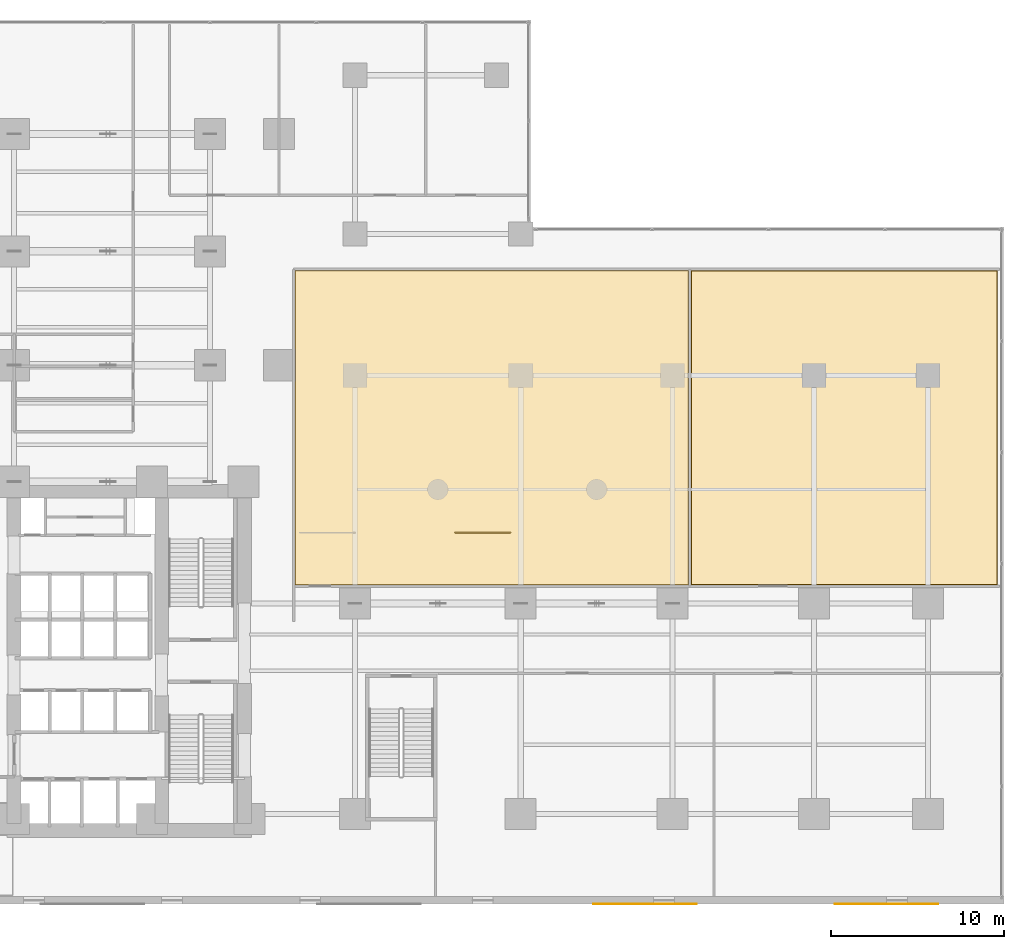
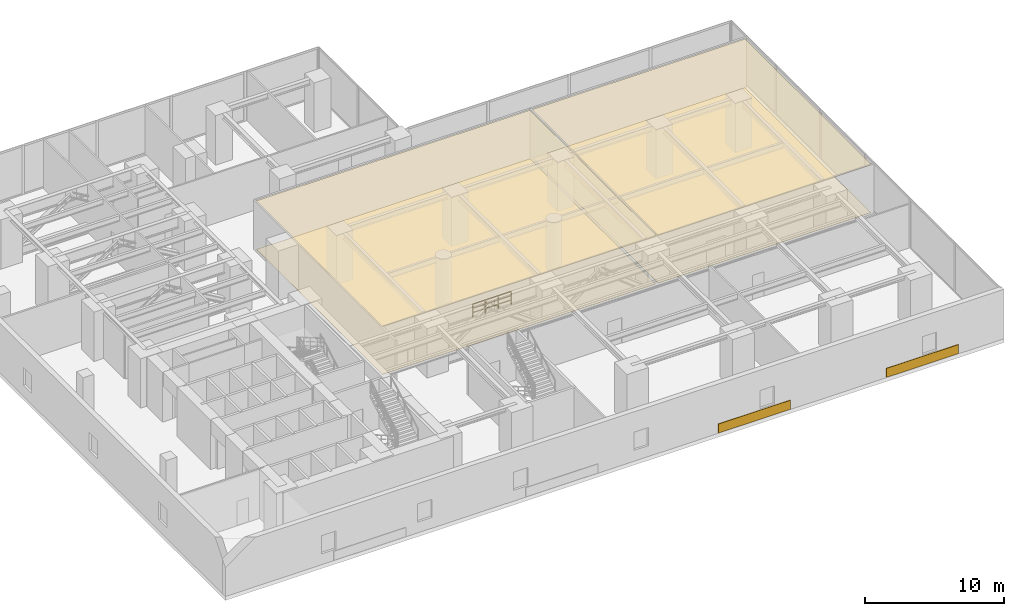
# One storey, part 18 of 18: 6 coverings, 1 railing.
"""IFC4 building model written with IfcOpenShell, lengths in metres."""

from ifc_helpers import new_model, si_unit, direction, frame, origin, origin_2d, place, context, subcontext, project, spatial, polyline, rectangle, circle, outline, extrude, material, layer, layer_set, type_object, element, save


model = new_model("IFC4")

# Units and contexts
model_context = context("Model", 3, precision=1e-05, world=origin(), true_north=direction((0.0, 1.0)))
body_context = subcontext(model_context, "Body", "Model", "MODEL_VIEW")
ifc_project = project(units=[si_unit("LENGTHUNIT", "METRE"), si_unit("AREAUNIT", "SQUARE_METRE"), si_unit("VOLUMEUNIT", "CUBIC_METRE"), si_unit("PLANEANGLEUNIT", "RADIAN"), si_unit("MASSUNIT", "GRAM", prefix="KILO")], contexts=[model_context])

# Site, building, storey
site_placement = place(None, origin())
site = spatial("IfcSite", under=ifc_project, at=site_placement, CompositionType="ELEMENT")
building_placement = place(site_placement, origin())
building = spatial("IfcBuilding", under=site, at=building_placement, Name="Kolvaren Waterfront Exchange", CompositionType="ELEMENT")
storey_placement = place(building_placement, frame((0.0, 0.0, 24.800048828125)))
storey = spatial("IfcBuildingStorey", under=building, at=storey_placement, Name="L06", CompositionType="ELEMENT", Elevation=24.800048828125)

# Railing
ifc_material_1 = material(Name="Anodised bronze aluminium and laminated glass", Category="aluminium")
railing_type = type_object("IfcRailingType", Name="ARC-BALUSTRADE-1150", PredefinedType="BALUSTRADE", material=ifc_material_1)
railing_placement = place(storey_placement, frame((33.0, 21.5, 0.0)))
element("IfcRailing", 1, at=railing_placement, inside=storey, type_object=railing_type, Name="L06 gallery balustrade 2", PredefinedType="BALUSTRADE", context=body_context, shape_type="SweptSolid", body=[
    extrude(circle(Radius=0.02392578125, at=origin_2d()), frame((0.0, 0.0, 1.1259765625), z_axis=(1.0, 0.0, 0.0), x_axis=(0.0, 1.0, 0.0)), (0.0, 0.0, 1.0), 3.199951171875),
    extrude(circle(Radius=0.01611328125, at=origin_2d()), frame((0.0, 0.0, 0.390869140625), z_axis=(1.0, 0.0, 0.0), x_axis=(0.0, 1.0, 0.0)), (0.0, 0.0, 1.0), 3.199951171875),
    extrude(circle(Radius=0.01611328125, at=origin_2d()), frame((0.0, 0.0, 0.7705078125), z_axis=(1.0, 0.0, 0.0), x_axis=(0.0, 1.0, 0.0)), (0.0, 0.0, 1.0), 3.199951171875),
    extrude(circle(Radius=0.02099609375, at=origin_2d()), origin(), (0.0, 0.0, 1.0), 1.101806640625),
    extrude(circle(Radius=0.02099609375, at=origin_2d()), frame((1.066650390625, 0.0, 0.0)), (0.0, 0.0, 1.0), 1.101806640625),
    extrude(circle(Radius=0.02099609375, at=origin_2d()), frame((2.13330078125, 0.0, 0.0)), (0.0, 0.0, 1.0), 1.101806640625),
    extrude(circle(Radius=0.02099609375, at=origin_2d()), frame((3.199951171875, 0.0, 0.0)), (0.0, 0.0, 1.0), 1.101806640625),
])

# Coverings
ifc_material_2 = material(Name="Mineral fibre acoustic ceiling tile")
ifc_layer_1 = layer(ifc_material_2, 0.02490234375, Name="Mineral fibre acoustic ceiling tile")
ifc_layer_set_1 = layer_set([ifc_layer_1], Name="Mineral fibre acoustic ceiling tile")
covering_type_1 = type_object("IfcCoveringType", Name="ARC-CEIL-ACOUSTIC-25", PredefinedType="CEILING", material=ifc_layer_set_1)
covering_1_placement = place(storey_placement, frame((0.0, 0.0, 4.23486328125)))
element("IfcCovering", 2, at=covering_1_placement, inside=storey, type_object=covering_type_1, Name="L06 acoustic suspended ceiling 2", PredefinedType="CEILING", context=body_context, shape_type="SweptSolid", body=[
    extrude(outline(polyline([(23.715087890625, 32.139892578125), (23.739990234375, 32.139892578125), (23.739990234375, 30.260009765625), (23.715087890625, 30.260009765625), (23.715087890625, 18.465087890625), (46.534912109375, 18.465087890625), (46.534912109375, 36.68505859375), (23.715087890625, 36.68505859375), (23.715087890625, 32.139892578125)])), origin(), (0.0, 0.0, 1.0), 0.025146484375),
])
covering_2_placement = place(storey_placement, frame((0.0, 0.0, 4.23486328125)))
element("IfcCovering", 3, at=covering_2_placement, inside=storey, type_object=covering_type_1, Name="L06 acoustic suspended ceiling 3", PredefinedType="CEILING", context=body_context, shape_type="SweptSolid", body=[
    extrude(outline(polyline([(64.43505859375, 18.465087890625), (64.43505859375, 36.68505859375), (46.6650390625, 36.68505859375), (46.6650390625, 18.465087890625), (64.43505859375, 18.465087890625)])), origin(), (0.0, 0.0, 1.0), 0.025146484375),
])
ifc_material_3 = material(Name="Honed grey-taupe granite stone", Category="masonry")
ifc_layer_2 = layer(ifc_material_3, 0.044921875, Name="Honed grey-taupe granite stone")
ifc_layer_set_2 = layer_set([ifc_layer_2], Name="Honed grey-taupe granite stone")
covering_type_2 = type_object("IfcCoveringType", Name="ARC-CLAD-GRANITE-45", PredefinedType="CLADDING", material=ifc_layer_set_2)
for number, where, z_axis, x_axis, name in (
    (4, (44.0, -0.02001953125, 0.0498046875), (0.0, 0.0, 1.0), (1.0, 0.0, 0.0), "L06 honed grey-taupe granite spandrel cladding S3"),
    (5, (58.0, -0.02001953125, 0.0498046875), (0.0, 0.0, 1.0), (1.0, 0.0, 0.0), "L06 honed grey-taupe granite spandrel cladding S4"),
):
    element("IfcCovering", number, at=place(storey_placement, frame(where, z_axis=z_axis, x_axis=x_axis)), inside=storey, type_object=covering_type_2, Name=name, PredefinedType="CLADDING", context=body_context, shape_type="SweptSolid", body=[
        extrude(rectangle(XDim=6.0, YDim=0.044921875, at=origin_2d()), origin(), (0.0, 0.0, 1.0), 0.800048828125),
    ])
ifc_material_4 = material(Name="Slip-resistant porcelain tile")
ifc_layer_3 = layer(ifc_material_4, 0.014892578125, Name="Slip-resistant porcelain tile")
ifc_layer_set_3 = layer_set([ifc_layer_3], Name="Slip-resistant porcelain tile")
covering_type_3 = type_object("IfcCoveringType", Name="ARC-FLR-PORC-15", PredefinedType="FLOORING", material=ifc_layer_set_3)
covering_3_placement = place(storey_placement, origin())
element("IfcCovering", 6, at=covering_3_placement, inside=storey, type_object=covering_type_3, Name="L06 floor finish 2", PredefinedType="FLOORING", context=body_context, shape_type="SweptSolid", body=[
    extrude(outline(polyline([(23.75, 30.239990234375), (23.75, 18.5), (46.5, 18.5), (46.5, 36.64990234375), (23.75, 36.64990234375), (23.75, 32.159912109375), (23.760009765625, 32.159912109375), (23.760009765625, 30.239990234375), (23.75, 30.239990234375)])), origin(), (0.0, 0.0, 1.0), 0.014892578125),
])
covering_4_placement = place(storey_placement, origin())
element("IfcCovering", 7, at=covering_4_placement, inside=storey, type_object=covering_type_3, Name="L06 floor finish 3", PredefinedType="FLOORING", context=body_context, shape_type="SweptSolid", body=[
    extrude(outline(polyline([(46.699951171875, 36.64990234375), (46.699951171875, 18.5), (64.39990234375, 18.5), (64.39990234375, 36.64990234375), (46.699951171875, 36.64990234375)])), origin(), (0.0, 0.0, 1.0), 0.014892578125),
])

save(model, "model.ifc")
